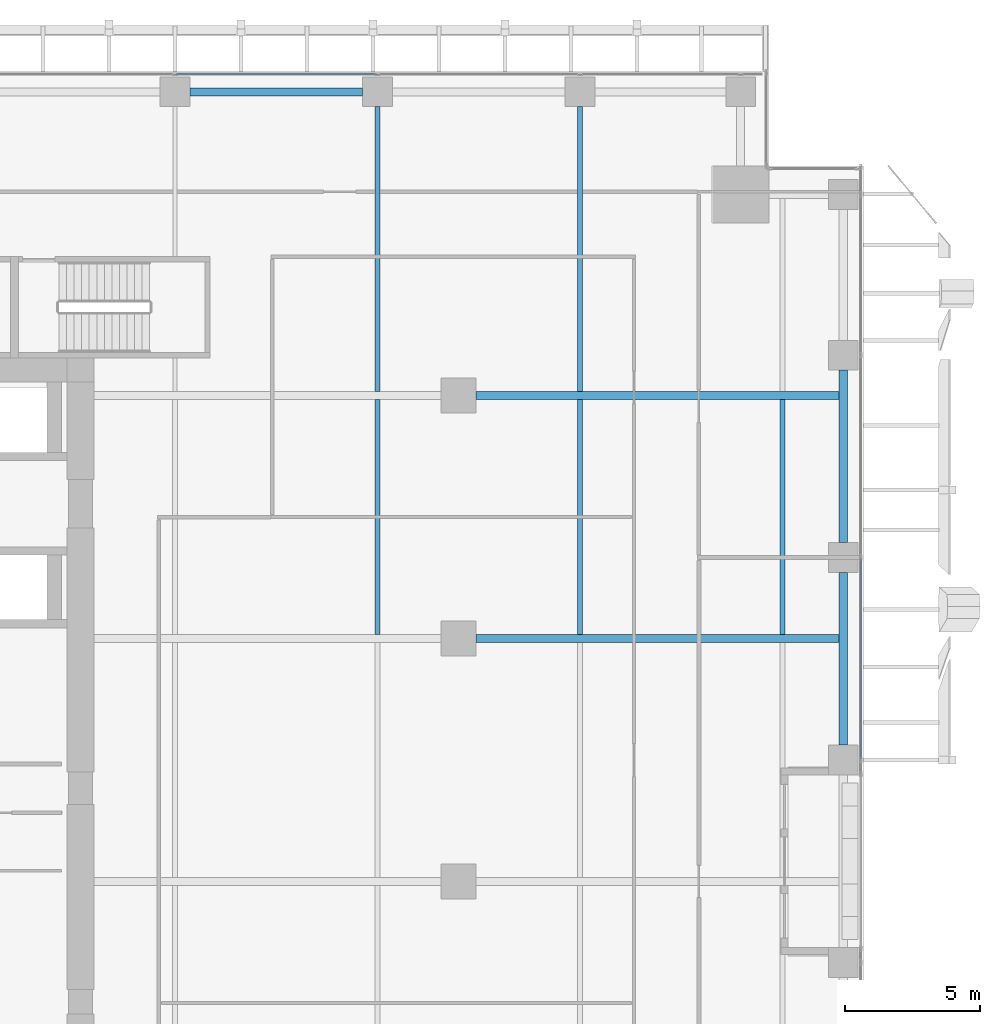
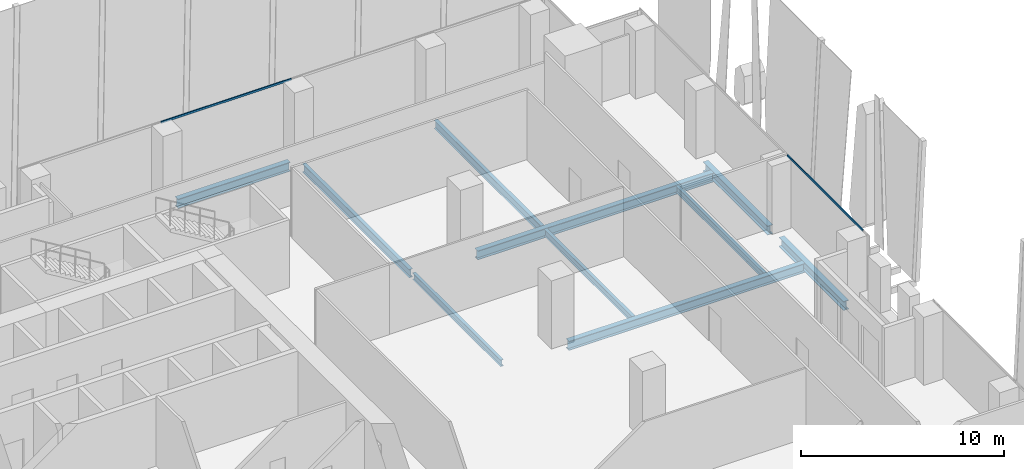
# One storey, part 18 of 36: 10 beams, 2 members, 2 elements without a shape of their own.
"""IFC4 building model written with IfcOpenShell, lengths in metres."""

import ifcopenshell
import ifcopenshell.guid

model = None  # the IFC model being written
_history = None  # IfcOwnerHistory: only IFC2X3 demands one
_inside = {}  # id of a spatial element -> (the spatial element, [elements in it])
_under = {}  # id of a project, library or spatial element -> (it, [spatial elements below it])
_declared = {}  # id of a project -> (the project, [libraries it declares])
_typed = {}  # id of a type object -> (the type object, [elements of that type])
_made_of = {}  # id of a material, layer set ... -> (it, [elements and type objects made of it])


def new_model(schema):
    """Start an empty IFC model of exactly this schema.

    Asked for "IFC4X3", IfcOpenShell would pick the latest addendum, in which some entities
    have other attributes; the version numbers below select the first issue.
    IFC2X3 requires an IfcOwnerHistory on every rooted entity: one is made here for all.
    """
    global model, _history
    if schema == "IFC4X3":
        model = ifcopenshell.file(schema_version=(4, 3, 0, 0))
    else:
        model = ifcopenshell.file(schema=schema)
    _inside.clear()
    _under.clear()
    _declared.clear()
    _typed.clear()
    _made_of.clear()
    _history = None
    if model.schema == "IFC2X3":
        org = make("IfcOrganization", Name="unknown")
        user = make(
            "IfcPersonAndOrganization",
            ThePerson=make("IfcPerson", FamilyName="unknown"),
            TheOrganization=org,
        )
        app = make(
            "IfcApplication",
            ApplicationDeveloper=org,
            Version="unknown",
            ApplicationFullName="unknown",
            ApplicationIdentifier="unknown",
        )
        _history = make(
            "IfcOwnerHistory",
            OwningUser=user,
            OwningApplication=app,
            ChangeAction="ADDED",
            CreationDate=0,
        )
    return model


def make(cls, **values):
    """One entity of the class cls with the attributes given. An attribute that is None is left unset."""
    return model.create_entity(
        cls, **{name: value for name, value in values.items() if value is not None}
    )


def rooted(cls, **values):
    """An entity with a GlobalId (a new one), such as an element, a storey or a relation."""
    return make(cls, GlobalId=ifcopenshell.guid.new(), OwnerHistory=_history, **values)


def si_unit(unit_type, name, prefix=None):
    """IfcSIUnit, for example si_unit("LENGTHUNIT", "METRE", prefix="MILLI")."""
    return make("IfcSIUnit", UnitType=unit_type, Prefix=prefix, Name=name)


def assignment(units):
    """IfcUnitAssignment: the units of a project."""
    return None if units is None else make("IfcUnitAssignment", Units=units)


def point(xyz):
    """IfcCartesianPoint."""
    return None if xyz is None else make("IfcCartesianPoint", Coordinates=xyz)


def direction(xyz):
    """IfcDirection."""
    return None if xyz is None else make("IfcDirection", DirectionRatios=xyz)


def frame(location, z_axis=None, x_axis=None):
    """IfcAxis2Placement3D, a coordinate frame: its origin and axes. An axis left out is left unset."""
    return make(
        "IfcAxis2Placement3D",
        Location=point(location),
        Axis=direction(z_axis),
        RefDirection=direction(x_axis),
    )


def frame_2d(location, x_axis=None):
    """IfcAxis2Placement2D, a coordinate frame in the plane: its origin and x axis."""
    return make(
        "IfcAxis2Placement2D", Location=point(location), RefDirection=direction(x_axis)
    )


def origin():
    """The frame at (0, 0, 0) with its axes left unset."""
    return frame((0.0, 0.0, 0.0))


def origin_2d():
    """The frame at (0, 0) in the plane with its x axis left unset."""
    return frame_2d((0.0, 0.0))


def place(relative_to, where):
    """IfcLocalPlacement: puts the frame where relative to a parent placement (None: the world)."""
    return make(
        "IfcLocalPlacement", PlacementRelTo=relative_to, RelativePlacement=where
    )


def context(
    kind, dimensions, precision=None, world=None, true_north=None, identifier=None
):
    """IfcGeometricRepresentationContext, for example the 3D "Model" context."""
    return make(
        "IfcGeometricRepresentationContext",
        ContextIdentifier=identifier,
        ContextType=kind,
        CoordinateSpaceDimension=dimensions,
        Precision=precision,
        WorldCoordinateSystem=world,
        TrueNorth=true_north,
    )


def subcontext(parent, identifier, kind, view, scale=None):
    """IfcGeometricRepresentationSubContext, for example "Body" below "Model"."""
    return make(
        "IfcGeometricRepresentationSubContext",
        ContextIdentifier=identifier,
        ContextType=kind,
        ParentContext=parent,
        TargetScale=scale,
        TargetView=view,
    )


def project(units=None, contexts=None):
    """IfcProject with its units and contexts."""
    return rooted(
        "IfcProject",
        Name="project",
        RepresentationContexts=contexts,
        UnitsInContext=assignment(units),
    )


def spatial(cls, under=None, at=None, **own):
    """A site, building, storey or space (cls), placed at a placement, below another one or the project."""
    s = rooted(cls, ObjectPlacement=at, **own)
    if under is not None:
        _under.setdefault(under.id(), (under, []))[1].append(s)
    return s


def profile(cls, at=None, kind="AREA", **sizes):
    """A parametric profile (cls). Its sizes go by their IFC names, for example OverallWidth=200.0."""
    return make(cls, ProfileType=kind, Position=at, **sizes)


def hollow_rectangle(**sizes):
    """IfcRectangleHollowProfileDef."""
    return profile("IfcRectangleHollowProfileDef", **sizes)


def i_section(**sizes):
    """IfcIShapeProfileDef."""
    return profile("IfcIShapeProfileDef", **sizes)


def extrude(swept, where, along, depth):
    """IfcExtrudedAreaSolid: the profile swept, set in the frame where, extruded along a direction by depth."""
    return make(
        "IfcExtrudedAreaSolid",
        SweptArea=swept,
        Position=where,
        ExtrudedDirection=direction(along),
        Depth=depth,
    )


def shape(context_of_items, identifier, shape_type, items):
    """IfcShapeRepresentation: the items that make up one representation, for example the "Body"."""
    return make(
        "IfcShapeRepresentation",
        ContextOfItems=context_of_items,
        RepresentationIdentifier=identifier,
        RepresentationType=shape_type,
        Items=items,
    )


def source(mapping_origin, context_of_items, identifier, shape_type, items):
    """IfcRepresentationMap: a shape defined once, which mapped items show again and again."""
    return make(
        "IfcRepresentationMap",
        MappingOrigin=mapping_origin,
        MappedRepresentation=shape(context_of_items, identifier, shape_type, items),
    )


def transform(
    local_origin,
    x_axis=None,
    y_axis=None,
    z_axis=None,
    scale=None,
    scale2=None,
    scale3=None,
    uniform=True,
):
    """IfcCartesianTransformationOperator3D, or its non-uniform kind. x_axis, y_axis, z_axis: its Axis1, 2, 3."""
    if uniform:
        return make(
            "IfcCartesianTransformationOperator3D",
            Axis1=direction(x_axis),
            Axis2=direction(y_axis),
            LocalOrigin=point(local_origin),
            Scale=scale,
            Axis3=direction(z_axis),
        )
    return make(
        "IfcCartesianTransformationOperator3DnonUniform",
        Axis1=direction(x_axis),
        Axis2=direction(y_axis),
        LocalOrigin=point(local_origin),
        Scale=scale,
        Axis3=direction(z_axis),
        Scale2=scale2,
        Scale3=scale3,
    )


def mapped(mapping_source, mapping_target):
    """IfcMappedItem: shows the shape of a source again, moved by a transform."""
    return make(
        "IfcMappedItem", MappingSource=mapping_source, MappingTarget=mapping_target
    )


def material(Name=None, Category=None):
    """IfcMaterial."""
    return make("IfcMaterial", Name=Name, Category=Category)


def material_profile(
    of_material, cross_section, Name=None, Category=None, Priority=None
):
    """IfcMaterialProfile: a cross section and its material."""
    return make(
        "IfcMaterialProfile",
        Name=Name,
        Material=of_material,
        Profile=cross_section,
        Priority=Priority,
        Category=Category,
    )


def profile_set(profiles, Name=None, composite=None):
    """IfcMaterialProfileSet."""
    return make(
        "IfcMaterialProfileSet",
        Name=Name,
        MaterialProfiles=profiles,
        CompositeProfile=composite,
    )


def made_of(thing, what):
    """Note that an element or type object is made of a material, layer set ...; save() writes the relation."""
    if what is not None:
        _made_of.setdefault(what.id(), (what, []))[1].append(thing)
    return thing


def type_object(cls, material=None, **own):
    """A type object (cls), such as IfcWallType, which elements share."""
    return made_of(rooted(cls, **own), material)


def element(
    cls,
    number,
    at=None,
    inside=None,
    cuts=None,
    type_object=None,
    material=None,
    context=None,
    identifier="Body",
    shape_type=None,
    held_by="IfcProductDefinitionShape",
    body=None,
    shapes=None,
    **own,
):
    """One element of the class cls, such as IfcWall. Its Tag is "e" and its number.

    at: its placement. inside: the storey or other place that contains it. cuts: it is an
    opening in that element (IfcRelVoidsElement). A single representation is given by context,
    identifier, shape_type and body (its items); several are given by shapes. held_by: the class
    of the entity that holds the representations. save() writes the other relations.
    """
    e = rooted(cls, Tag="e%d" % number, ObjectPlacement=at, **own)
    if body is not None:
        shapes = [shape(context, identifier, shape_type, body)]
    if shapes is not None:
        e.Representation = make(held_by, Representations=shapes)
    if inside is not None:
        _inside.setdefault(inside.id(), (inside, []))[1].append(e)
    if cuts is not None:
        rooted(
            "IfcRelVoidsElement", RelatingBuildingElement=cuts, RelatedOpeningElement=e
        )
    if type_object is not None:
        _typed.setdefault(type_object.id(), (type_object, []))[1].append(e)
    return made_of(e, material)


def aggregate(whole, parts):
    """IfcRelAggregates: a whole, such as a stair, and the parts it consists of."""
    return rooted("IfcRelAggregates", RelatingObject=whole, RelatedObjects=parts)


def save(model, path):
    """Write the relations noted so far, then the file.

    IfcRelAggregates (storeys below a building ...), IfcRelContainedInSpatialStructure (elements
    in a storey), IfcRelDefinesByType, IfcRelAssociatesMaterial and IfcRelDeclares: one each for
    every whole, place, type object, material and project.
    """
    for whole, parts in _under.values():
        aggregate(whole, parts)
    for where, things in _inside.values():
        rooted(
            "IfcRelContainedInSpatialStructure",
            RelatedElements=things,
            RelatingStructure=where,
        )
    for kind, things in _typed.values():
        rooted("IfcRelDefinesByType", RelatedObjects=things, RelatingType=kind)
    for what, things in _made_of.values():
        rooted("IfcRelAssociatesMaterial", RelatedObjects=things, RelatingMaterial=what)
    for by, libraries in _declared.values():
        rooted("IfcRelDeclares", RelatingContext=by, RelatedDefinitions=libraries)
    model.write(path)


model = new_model("IFC4")

# Units and contexts
model_context = context("Model", 3, precision=1e-05, world=origin(), true_north=direction((0.0, 1.0)))
body_context = subcontext(model_context, "Body", "Model", "MODEL_VIEW")
ifc_project = project(units=[si_unit("LENGTHUNIT", "METRE"), si_unit("AREAUNIT", "SQUARE_METRE"), si_unit("VOLUMEUNIT", "CUBIC_METRE"), si_unit("PLANEANGLEUNIT", "RADIAN"), si_unit("MASSUNIT", "GRAM", prefix="KILO")], contexts=[model_context])

# Site, building, storey
site_placement = place(None, origin())
site = spatial("IfcSite", under=ifc_project, at=site_placement, CompositionType="ELEMENT")
building_placement = place(site_placement, origin())
building = spatial("IfcBuilding", under=site, at=building_placement, Name="Khomas Fold Tower", CompositionType="ELEMENT")
storey_placement = place(building_placement, frame((0.0, 0.0, 141.10009765625)))
storey = spatial("IfcBuildingStorey", under=building, at=storey_placement, Name="L30", CompositionType="ELEMENT", Elevation=141.10009765625)

# Beams
ifc_material_1 = material(Name="Steel S355", Category="steel")
ifc_material_profile_1 = material_profile(ifc_material_1, i_section(OverallWidth=0.179931640625, OverallDepth=0.39990234375, WebThickness=0.008544921875, FlangeThickness=0.013427734375, at=origin_2d()), Name="IPE 400")
ifc_profile_set_1 = profile_set([ifc_material_profile_1], Name="Steel S355")
beam_type_1 = type_object("IfcBeamType", Name="IPE 400 beam JB3", PredefinedType="BEAM", material=ifc_profile_set_1)
shared_shape_1 = source(origin(), body_context, "Body", "SweptSolid", [
    extrude(i_section(OverallWidth=0.179931640625, OverallDepth=0.39990234375, WebThickness=0.008544921875, FlangeThickness=0.013427734375, at=origin_2d()), origin(), (0.0, 0.0, 1.0), 8.7001953125),
])
for number, where, z_axis, x_axis, name in (
    (1, (34.5, 31.64990234375, -0.5), (0.0, 1.0, 0.0), (-1.0, 0.0, 0.0), "JB3"),
    (2, (42.0, 31.64990234375, -0.5), (0.0, 1.0, 0.0), (-1.0, 0.0, 0.0), "JB3"),
    (3, (49.5, 31.64990234375, -0.5), (0.0, 1.0, 0.0), (-1.0, 0.0, 0.0), "JB3"),
):
    element("IfcBeam", number, at=place(storey_placement, frame(where, z_axis=z_axis, x_axis=x_axis)), inside=storey, type_object=beam_type_1, Name=name, PredefinedType="BEAM", context=body_context, shape_type="MappedRepresentation", body=[
        mapped(shared_shape_1, transform((0.0, 0.0, 0.0))),
    ])
ifc_material_2 = material(Name="Steel S355", Category="steel")
ifc_material_profile_2 = material_profile(ifc_material_2, i_section(OverallWidth=0.300048828125, OverallDepth=0.550048828125, WebThickness=0.014892578125, FlangeThickness=0.029052734375, at=origin_2d()), Name="HE 550 B")
ifc_profile_set_2 = profile_set([ifc_material_profile_2], Name="Steel S355")
beam_type_2 = type_object("IfcBeamType", Name="HE 550 B spandrel SB2", PredefinedType="SPANDREL", material=ifc_profile_set_2)
shared_shape_2 = source(origin(), body_context, "Body", "SweptSolid", [
    extrude(i_section(OverallWidth=0.300048828125, OverallDepth=0.550048828125, WebThickness=0.014892578125, FlangeThickness=0.029052734375, at=origin_2d()), origin(), (0.0, 0.0, 1.0), 6.39990234375),
])
for number, where, z_axis, x_axis, name in (
    (4, (51.75, 27.550048828125, -0.5751953125), (0.0, 1.0, 0.0), (-1.0, 0.0, 0.0), "SB2"),
    (5, (51.75, 35.050048828125, -0.5751953125), (0.0, 1.0, 0.0), (-1.0, 0.0, 0.0), "SB2"),
    (6, (27.550048828125, 51.75, -0.5751953125), (1.0, 0.0, 0.0), (0.0, 1.0, 0.0), "SB2"),
):
    element("IfcBeam", number, at=place(storey_placement, frame(where, z_axis=z_axis, x_axis=x_axis)), inside=storey, type_object=beam_type_2, Name=name, PredefinedType="SPANDREL", context=body_context, shape_type="MappedRepresentation", body=[
        mapped(shared_shape_2, transform((0.0, 0.0, 0.0))),
    ])
ifc_material_3 = material(Name="Steel S355", Category="steel")
ifc_material_profile_3 = material_profile(ifc_material_3, i_section(OverallWidth=0.300048828125, OverallDepth=0.550048828125, WebThickness=0.014892578125, FlangeThickness=0.029052734375, at=origin_2d()), Name="HE 550 B")
ifc_profile_set_3 = profile_set([ifc_material_profile_3], Name="Steel S355")
beam_type_3 = type_object("IfcBeamType", Name="HE 550 B beam GB4", PredefinedType="BEAM", material=ifc_profile_set_3)
shared_shape_3 = source(origin(), body_context, "Body", "SweptSolid", [
    extrude(i_section(OverallWidth=0.300048828125, OverallDepth=0.550048828125, WebThickness=0.014892578125, FlangeThickness=0.029052734375, at=origin_2d()), origin(), (0.0, 0.0, 1.0), 13.4501953125),
])
for number, where, z_axis, x_axis, name in (
    (7, (38.14990234375, 31.5, -0.5751953125), (1.0, 0.0, 0.0), (0.0, 1.0, 0.0), "GB4"),
    (8, (38.14990234375, 40.5, -0.5751953125), (1.0, 0.0, 0.0), (0.0, 1.0, 0.0), "GB4"),
):
    element("IfcBeam", number, at=place(storey_placement, frame(where, z_axis=z_axis, x_axis=x_axis)), inside=storey, type_object=beam_type_3, Name=name, PredefinedType="BEAM", context=body_context, shape_type="MappedRepresentation", body=[
        mapped(shared_shape_3, transform((0.0, 0.0, 0.0))),
    ])
ifc_material_4 = material(Name="Steel S355", Category="steel")
ifc_material_profile_4 = material_profile(ifc_material_4, i_section(OverallWidth=0.199951171875, OverallDepth=0.5, WebThickness=0.01025390625, FlangeThickness=0.01611328125, at=origin_2d()), Name="IPE 500")
ifc_profile_set_4 = profile_set([ifc_material_profile_4], Name="Steel S355")
beam_type_4 = type_object("IfcBeamType", Name="IPE 500 beam JB5", PredefinedType="BEAM", material=ifc_profile_set_4)
shared_shape_4 = source(origin(), body_context, "Body", "SweptSolid", [
    extrude(i_section(OverallWidth=0.199951171875, OverallDepth=0.5, WebThickness=0.01025390625, FlangeThickness=0.01611328125, at=origin_2d()), origin(), (0.0, 0.0, 1.0), 10.550048828125),
])
for number, where, z_axis, x_axis, name in (
    (9, (34.5, 40.64990234375, -0.550048828125), (0.0, 1.0, 0.0), (-1.0, 0.0, 0.0), "JB5"),
    (10, (42.0, 40.64990234375, -0.550048828125), (0.0, 1.0, 0.0), (-1.0, 0.0, 0.0), "JB5"),
):
    element("IfcBeam", number, at=place(storey_placement, frame(where, z_axis=z_axis, x_axis=x_axis)), inside=storey, type_object=beam_type_4, Name=name, PredefinedType="BEAM", context=body_context, shape_type="MappedRepresentation", body=[
        mapped(shared_shape_4, transform((0.0, 0.0, 0.0))),
    ])

# Curtain wall, member
ifc_material_5 = material(Name="Aluminium framed double glazing", Category="aluminium")
curtain_wall_type = type_object("IfcCurtainWallType", Name="SK-Unitised clear-glass wall, growing floors CW1", PredefinedType="NOTDEFINED", material=ifc_material_5)
curtain_wall_1_placement = place(storey_placement, origin())
curtain_wall_1 = element("IfcCurtainWall", 11, at=curtain_wall_1_placement, inside=storey, type_object=curtain_wall_type, Name="CW1 run L30 03-1", PredefinedType="NOTDEFINED")
ifc_material_6 = material(Name="Aluminium", Category="aluminium")
ifc_material_profile_5 = material_profile(ifc_material_6, hollow_rectangle(XDim=0.06005859375, YDim=0.1201171875, WallThickness=0.00390625, at=origin_2d()), Name="SK-Unitised clear-glass wall, growing floors transom CW1-T")
ifc_profile_set_5 = profile_set([ifc_material_profile_5], Name="Aluminium")
member_type = type_object("IfcMemberType", Name="SK-Unitised clear-glass wall, growing floors transom CW1-T", PredefinedType="USERDEFINED", material=ifc_profile_set_5)
shared_shape_5 = source(origin(), body_context, "Body", "SweptSolid", [
    extrude(hollow_rectangle(XDim=0.06005859375, YDim=0.1201171875, WallThickness=0.00390625, at=origin_2d()), origin(), (0.0, 0.0, 1.0), 7.43994140625),
])
member_1_placement = place(storey_placement, frame((52.39990234375, 27.030029296875, 4.039794921875), z_axis=(0.0, 1.0, 0.0), x_axis=(-1.0, 0.0, 0.0)))
member_1 = element("IfcMember", 12, at=member_1_placement, type_object=member_type, Name="CW1 transom 2", ObjectType="TRANSOM", PredefinedType="USERDEFINED", context=body_context, shape_type="MappedRepresentation", body=[
    mapped(shared_shape_5, transform((0.0, 0.0, 0.0))),
])
aggregate(curtain_wall_1, [member_1])

curtain_wall_2_placement = place(storey_placement, origin())
curtain_wall_2 = element("IfcCurtainWall", 13, at=curtain_wall_2_placement, inside=storey, type_object=curtain_wall_type, Name="CW1 run L30 06-0", PredefinedType="NOTDEFINED")
member_2_placement = place(storey_placement, frame((34.469970703125, 52.39990234375, 4.039794921875), z_axis=(-1.0, 0.0, 0.0), x_axis=(0.0, -1.0, 0.0)))
member_2 = element("IfcMember", 14, at=member_2_placement, type_object=member_type, Name="CW1 transom 4", ObjectType="TRANSOM", PredefinedType="USERDEFINED", context=body_context, shape_type="MappedRepresentation", body=[
    mapped(shared_shape_5, transform((0.0, 0.0, 0.0))),
])
aggregate(curtain_wall_2, [member_2])

save(model, "model.ifc")
